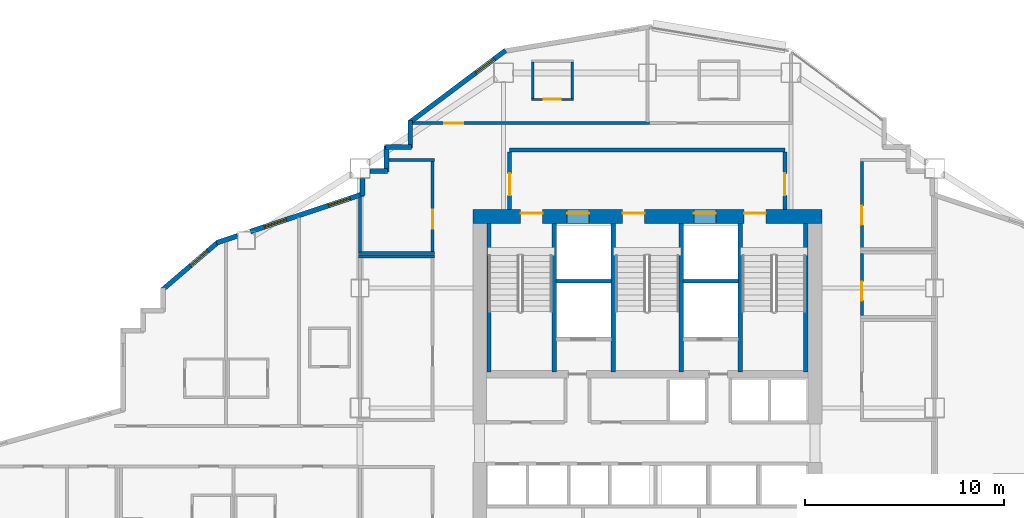
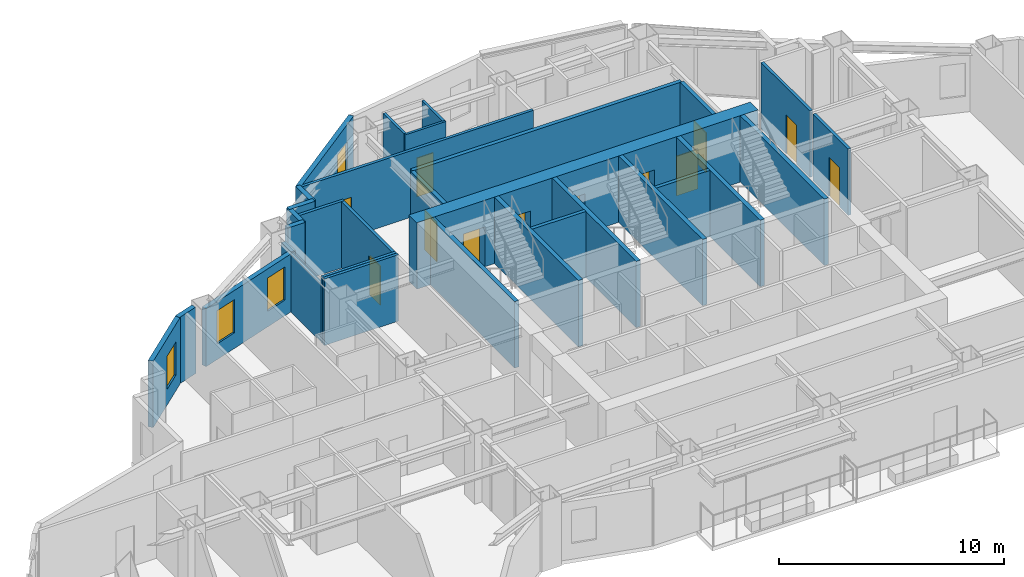
# One storey, part 11 of 14: 32 walls, 12 doors, 4 windows, 16 openings.
"""IFC4 building model written with IfcOpenShell, lengths in metres."""

from ifc_helpers import new_model, si_unit, direction, frame, frame_2d, origin, place, context, subcontext, project, spatial, rectangle, extrude, material, layer, layer_set, type_object, element, fill, save


model = new_model("IFC4")

# Units and contexts
model_context = context("Model", 3, precision=1e-05, world=origin(), true_north=direction((0.0, 1.0)))
body_context = subcontext(model_context, "Body", "Model", "MODEL_VIEW")
ifc_project = project(units=[si_unit("LENGTHUNIT", "METRE"), si_unit("AREAUNIT", "SQUARE_METRE"), si_unit("VOLUMEUNIT", "CUBIC_METRE"), si_unit("PLANEANGLEUNIT", "RADIAN"), si_unit("MASSUNIT", "GRAM", prefix="KILO")], contexts=[model_context])

# Site, building, storey
site_placement = place(None, origin())
site = spatial("IfcSite", under=ifc_project, at=site_placement, CompositionType="ELEMENT")
building_placement = place(site_placement, origin())
building = spatial("IfcBuilding", under=site, at=building_placement, Name="Haolan Belvedere Tower", CompositionType="ELEMENT")
storey_placement = place(building_placement, frame((0.0, 0.0, 144.800048828125)))
storey = spatial("IfcBuildingStorey", under=building, at=storey_placement, Name="L36", CompositionType="ELEMENT", Elevation=144.800048828125)

# Wall, openings, doors
ifc_material_1 = material(Name="Concrete C60/75", Category="concrete")
ifc_layer_1 = layer(ifc_material_1, 0.699951171875, Name="Concrete C60/75")
ifc_layer_set_1 = layer_set([ifc_layer_1], Name="Concrete C60/75")
wall_type_1 = type_object("IfcWallType", Name="WL-CORE-700", PredefinedType="SHEAR", material=ifc_layer_set_1)
wall_1_placement = place(storey_placement, frame((29.64990234375, 43.199951171875, 0.0), z_axis=(0.0, 0.0, 1.0), x_axis=(1.0, 0.0, 0.0)))
wall_1 = element("IfcWall", 1, at=wall_1_placement, inside=storey, type_object=wall_type_1, Name="L36 central core north shear wall", PredefinedType="SHEAR", context=body_context, shape_type="SweptSolid", body=[
    extrude(rectangle(XDim=17.5, YDim=0.699951171875, at=frame_2d((8.75, 0.0))), origin(), (0.0, 0.0, 1.0), 3.599853515625),
])
opening_1_placement = place(wall_1_placement, frame((2.39990234375, 0.0, 0.0)))
opening_1 = element("IfcOpeningElement", 2, at=opening_1_placement, cuts=wall_1, Name="Opening FD-03", PredefinedType="OPENING", context=body_context, shape_type="SweptSolid", body=[
    extrude(rectangle(XDim=1.10009765625, YDim=2.14990234375, at=frame_2d((0.550048828125, 1.074951171875))), frame((0.0, 0.35986328125, 0.0), z_axis=(0.0, -1.0, 0.0), x_axis=(1.0, 0.0, 0.0)), (0.0, 0.0, 1.0), 0.719970703125),
])
opening_2_placement = place(wall_1_placement, frame((7.510009765625, 0.0, 0.0)))
opening_2 = element("IfcOpeningElement", 3, at=opening_2_placement, cuts=wall_1, Name="Opening FD-03", PredefinedType="OPENING", context=body_context, shape_type="SweptSolid", body=[
    extrude(rectangle(XDim=1.10009765625, YDim=2.14990234375, at=frame_2d((0.550048828125, 1.074951171875))), frame((0.0, 0.35986328125, 0.0), z_axis=(0.0, -1.0, 0.0), x_axis=(1.0, 0.0, 0.0)), (0.0, 0.0, 1.0), 0.719970703125),
])
opening_3_placement = place(wall_1_placement, frame((13.60009765625, 0.0, 0.0)))
opening_3 = element("IfcOpeningElement", 4, at=opening_3_placement, cuts=wall_1, Name="Opening FD-03", PredefinedType="OPENING", context=body_context, shape_type="SweptSolid", body=[
    extrude(rectangle(XDim=1.10009765625, YDim=2.14990234375, at=frame_2d((0.550048828125, 1.074951171875))), frame((0.0, 0.35986328125, 0.0), z_axis=(0.0, -1.0, 0.0), x_axis=(1.0, 0.0, 0.0)), (0.0, 0.0, 1.0), 0.719970703125),
])
opening_4_placement = place(wall_1_placement, frame((4.72998046875, 0.0, 0.0)))
opening_4 = element("IfcOpeningElement", 5, at=opening_4_placement, cuts=wall_1, Name="Opening LD-01", PredefinedType="OPENING", context=body_context, shape_type="SweptSolid", body=[
    extrude(rectangle(XDim=1.10009765625, YDim=2.199951171875, at=frame_2d((0.550048828125, 1.10009765625))), frame((0.0, 0.35986328125, 0.0), z_axis=(0.0, -1.0, 0.0), x_axis=(1.0, 0.0, 0.0)), (0.0, 0.0, 1.0), 0.719970703125),
])
opening_5_placement = place(wall_1_placement, frame((11.090087890625, 0.0, 0.0)))
opening_5 = element("IfcOpeningElement", 6, at=opening_5_placement, cuts=wall_1, Name="Opening LD-01", PredefinedType="OPENING", context=body_context, shape_type="SweptSolid", body=[
    extrude(rectangle(XDim=1.10009765625, YDim=2.199951171875, at=frame_2d((0.550048828125, 1.10009765625))), frame((0.0, 0.35986328125, 0.0), z_axis=(0.0, -1.0, 0.0), x_axis=(1.0, 0.0, 0.0)), (0.0, 0.0, 1.0), 0.719970703125),
])
ifc_material_2 = material(Name="Galvanised fire-rated steel", Category="steel")
door_type_1 = type_object("IfcDoorType", Name="DR-FD90-1100", OperationType="NOTDEFINED", PredefinedType="DOOR", material=ifc_material_2)
door_1_placement = place(opening_1_placement, origin())
door_1 = element("IfcDoor", 7, at=door_1_placement, inside=storey, type_object=door_type_1, Name="L36 door CD-L36-ST1", OperationType="SINGLE_SWING_LEFT", OverallHeight=2.14990234375, OverallWidth=1.10009765625, PredefinedType="DOOR", context=body_context, shape_type="SweptSolid", body=[
    extrude(rectangle(XDim=1.10009765625, YDim=2.14990234375, at=frame_2d((0.550048828125, 1.074951171875))), frame((0.0, 0.18505859375, 0.0), z_axis=(0.0, -1.0, 0.0), x_axis=(1.0, 0.0, 0.0)), (0.0, 0.0, 1.0), 0.050048828125),
])
fill(opening_1, door_1)
door_2_placement = place(opening_2_placement, origin())
door_2 = element("IfcDoor", 8, at=door_2_placement, inside=storey, type_object=door_type_1, Name="L36 door CD-L36-ST3", OperationType="SINGLE_SWING_LEFT", OverallHeight=2.14990234375, OverallWidth=1.10009765625, PredefinedType="DOOR", context=body_context, shape_type="SweptSolid", body=[
    extrude(rectangle(XDim=1.10009765625, YDim=2.14990234375, at=frame_2d((0.550048828125, 1.074951171875))), frame((0.0, 0.18505859375, 0.0), z_axis=(0.0, -1.0, 0.0), x_axis=(1.0, 0.0, 0.0)), (0.0, 0.0, 1.0), 0.050048828125),
])
fill(opening_2, door_2)
door_3_placement = place(opening_3_placement, origin())
door_3 = element("IfcDoor", 9, at=door_3_placement, inside=storey, type_object=door_type_1, Name="L36 door CD-L36-ST2", OperationType="SINGLE_SWING_RIGHT", OverallHeight=2.14990234375, OverallWidth=1.10009765625, PredefinedType="DOOR", context=body_context, shape_type="SweptSolid", body=[
    extrude(rectangle(XDim=1.10009765625, YDim=2.14990234375, at=frame_2d((0.550048828125, 1.074951171875))), frame((0.0, 0.18505859375, 0.0), z_axis=(0.0, -1.0, 0.0), x_axis=(1.0, 0.0, 0.0)), (0.0, 0.0, 1.0), 0.050048828125),
])
fill(opening_3, door_3)
ifc_material_3 = material(Name="Brushed champagne stainless steel 316L", Category="steel")
door_type_2 = type_object("IfcDoorType", Name="DR-LIFT-1100", OperationType="SLIDING_TO_LEFT", PredefinedType="DOOR", material=ifc_material_3)
door_4_placement = place(opening_4_placement, origin())
door_4 = element("IfcDoor", 10, at=door_4_placement, inside=storey, type_object=door_type_2, Name="L36 door LD-L36-FF1", OperationType="SLIDING_TO_LEFT", OverallHeight=2.199951171875, OverallWidth=1.10009765625, PredefinedType="DOOR", context=body_context, shape_type="SweptSolid", body=[
    extrude(rectangle(XDim=1.10009765625, YDim=2.199951171875, at=frame_2d((0.550048828125, 1.10009765625))), frame((0.0, 0.18505859375, 0.0), z_axis=(0.0, -1.0, 0.0), x_axis=(1.0, 0.0, 0.0)), (0.0, 0.0, 1.0), 0.050048828125),
])
fill(opening_4, door_4)
door_5_placement = place(opening_5_placement, origin())
door_5 = element("IfcDoor", 11, at=door_5_placement, inside=storey, type_object=door_type_2, Name="L36 door LD-L36-FF2", OperationType="SLIDING_TO_LEFT", OverallHeight=2.199951171875, OverallWidth=1.10009765625, PredefinedType="DOOR", context=body_context, shape_type="SweptSolid", body=[
    extrude(rectangle(XDim=1.10009765625, YDim=2.199951171875, at=frame_2d((0.550048828125, 1.10009765625))), frame((0.0, 0.18505859375, 0.0), z_axis=(0.0, -1.0, 0.0), x_axis=(1.0, 0.0, 0.0)), (0.0, 0.0, 1.0), 0.050048828125),
])
fill(opening_5, door_5)

# Wall, opening, window
ifc_material_4 = material(Name="Precast concrete C40/50", Category="concrete")
ifc_layer_2 = layer(ifc_material_4, 0.239990234375, Name="Precast concrete C40/50")
ifc_layer_set_2 = layer_set([ifc_layer_2], Name="Precast concrete C40/50")
wall_type_2 = type_object("IfcWallType", Name="WL-EXT-240", PredefinedType="SOLIDWALL", material=ifc_layer_set_2)
wall_2_placement = place(storey_placement, frame((31.29248046875, 51.519287109375, 0.0), z_axis=(0.0, 0.0, 1.0), x_axis=(-0.8, -0.6, 0.0)))
wall_2 = element("IfcWall", 12, at=wall_2_placement, inside=storey, type_object=wall_type_2, Name="L36 pale-metal exterior spandrel wall 29.1", PredefinedType="SOLIDWALL", context=body_context, shape_type="SweptSolid", body=[
    extrude(rectangle(XDim=6.0205078125, YDim=0.239990234375, at=frame_2d((3.01025390625, 0.0))), origin(), (0.0, 0.0, 1.0), 3.599853515625),
])
opening_6_placement = place(wall_2_placement, frame((0.699951171875, 0.0, 0.85009765625)))
opening_6 = element("IfcOpeningElement", 13, at=opening_6_placement, cuts=wall_2, Name="Opening W-02", PredefinedType="OPENING", context=body_context, shape_type="SweptSolid", body=[
    extrude(rectangle(XDim=1.14990234375, YDim=1.800048828125, at=frame_2d((0.574951171875, 0.89990234375))), frame((0.0, 0.1298828125, 0.0), z_axis=(0.0, -1.0, 0.0), x_axis=(1.0, 0.0, 0.0)), (0.0, 0.0, 1.0), 0.260009765625),
])
ifc_material_5 = material(Name="Anodised aluminium 6063-T6 and Low-E glass", Category="aluminium")
window_type = type_object("IfcWindowType", Name="WN-DECO-Z2", PartitioningType="SINGLE_PANEL", PredefinedType="WINDOW", material=ifc_material_5)
window_1_placement = place(opening_6_placement, origin())
window_1 = element("IfcWindow", 14, at=window_1_placement, inside=storey, type_object=window_type, Name="L36 Art Deco chevron window 1", OverallHeight=1.800048828125, OverallWidth=1.14990234375, PartitioningType="SINGLE_PANEL", PredefinedType="WINDOW", context=body_context, shape_type="SweptSolid", body=[
    extrude(rectangle(XDim=1.14990234375, YDim=1.800048828125, at=frame_2d((0.574951171875, 0.89990234375))), frame((0.0, 0.030029296875, 0.0), z_axis=(0.0, -1.0, 0.0), x_axis=(1.0, 0.0, 0.0)), (0.0, 0.0, 1.0), 0.06005859375),
])
fill(opening_6, window_1)

# Walls
wall_3_placement = place(storey_placement, frame((26.52001953125, 47.9951171875, 0.0), z_axis=(0.0, 0.0, 1.0), x_axis=(0.0, -1.0, 0.0)))
element("IfcWall", 15, at=wall_3_placement, inside=storey, type_object=wall_type_2, Name="L36 pale-metal exterior spandrel wall 30.1", PredefinedType="SOLIDWALL", context=body_context, shape_type="SweptSolid", body=[
    extrude(rectangle(XDim=1.3701171875, YDim=0.239990234375, at=frame_2d((0.68505859375, 0.0))), origin(), (0.0, 0.0, 1.0), 3.599853515625),
])
for number, where, z_axis, x_axis, name in (
    (16, (26.574951171875, 46.679931640625, 0.0), (0.0, 0.0, 1.0), (-1.0, 0.0, 0.0), "L36 pale-metal exterior spandrel wall 31.1"),
    (17, (25.320068359375, 46.735107421875, 0.0), (0.0, 0.0, 1.0), (0.0, -1.0, 0.0), "L36 pale-metal exterior spandrel wall 32.1"),
):
    element("IfcWall", number, at=place(storey_placement, frame(where, z_axis=z_axis, x_axis=x_axis)), inside=storey, type_object=wall_type_2, Name=name, PredefinedType="SOLIDWALL", context=body_context, shape_type="SweptSolid", body=[
        extrude(rectangle(XDim=1.31005859375, YDim=0.239990234375, at=frame_2d((0.655029296875, 0.0))), origin(), (0.0, 0.0, 1.0), 3.599853515625),
    ])
wall_4_placement = place(storey_placement, frame((25.375, 45.47998046875, 0.0), z_axis=(0.0, 0.0, 1.0), x_axis=(-1.0, 0.0, 0.0)))
element("IfcWall", 18, at=wall_4_placement, inside=storey, type_object=wall_type_2, Name="L36 pale-metal exterior spandrel wall 33.1", PredefinedType="SOLIDWALL", context=body_context, shape_type="SweptSolid", body=[
    extrude(rectangle(XDim=0.883056640625, YDim=0.239990234375, at=frame_2d((0.44140625, 0.0))), origin(), (0.0, 0.0, 1.0), 3.599853515625),
])
wall_5_placement = place(storey_placement, frame((24.1201171875, 45.10791015625, 0.0), z_axis=(0.0, 0.0, 1.0), x_axis=(0.0, -1.0, 0.0)))
element("IfcWall", 19, at=wall_5_placement, inside=storey, type_object=wall_type_2, Name="L36 pale-metal exterior spandrel wall 34.1", PredefinedType="SOLIDWALL", context=body_context, shape_type="SweptSolid", body=[
    extrude(rectangle(XDim=0.849365234375, YDim=0.239990234375, at=frame_2d((0.4248046875, 0.0))), origin(), (0.0, 0.0, 1.0), 3.14501953125),
])

# Wall, openings, windows
wall_6_placement = place(storey_placement, frame((24.172119140625, 44.330810546875, 0.0), z_axis=(0.0, 0.0, 1.0), x_axis=(-0.948683298051, -0.316227766017, 0.0)))
wall_6 = element("IfcWall", 20, at=wall_6_placement, inside=storey, type_object=wall_type_2, Name="L36 pale-metal exterior spandrel wall 35.1", PredefinedType="SOLIDWALL", context=body_context, shape_type="SweptSolid", body=[
    extrude(rectangle(XDim=5.973388671875, YDim=0.239990234375, at=frame_2d((2.98681640625, 0.0))), origin(), (0.0, 0.0, 1.0), 3.14501953125),
])
opening_7_placement = place(wall_6_placement, frame((0.699951171875, 0.0, 0.85009765625)))
opening_7 = element("IfcOpeningElement", 21, at=opening_7_placement, cuts=wall_6, Name="Opening W-02", PredefinedType="OPENING", context=body_context, shape_type="SweptSolid", body=[
    extrude(rectangle(XDim=1.14990234375, YDim=1.800048828125, at=frame_2d((0.574951171875, 0.89990234375))), frame((0.0, 0.1298828125, 0.0), z_axis=(0.0, -1.0, 0.0), x_axis=(1.0, 0.0, 0.0)), (0.0, 0.0, 1.0), 0.260009765625),
])
opening_8_placement = place(wall_6_placement, frame((4.078125, 0.0, 0.85009765625)))
opening_8 = element("IfcOpeningElement", 22, at=opening_8_placement, cuts=wall_6, Name="Opening W-02", PredefinedType="OPENING", context=body_context, shape_type="SweptSolid", body=[
    extrude(rectangle(XDim=1.14990234375, YDim=1.800048828125, at=frame_2d((0.574951171875, 0.89990234375))), frame((0.0, 0.1298828125, 0.0), z_axis=(0.0, -1.0, 0.0), x_axis=(1.0, 0.0, 0.0)), (0.0, 0.0, 1.0), 0.260009765625),
])
window_2_placement = place(opening_7_placement, origin())
window_2 = element("IfcWindow", 23, at=window_2_placement, inside=storey, type_object=window_type, Name="L36 Art Deco chevron window 1", OverallHeight=1.800048828125, OverallWidth=1.14990234375, PartitioningType="SINGLE_PANEL", PredefinedType="WINDOW", context=body_context, shape_type="SweptSolid", body=[
    extrude(rectangle(XDim=1.14990234375, YDim=1.800048828125, at=frame_2d((0.574951171875, 0.89990234375))), frame((0.0, 0.030029296875, 0.0), z_axis=(0.0, -1.0, 0.0), x_axis=(1.0, 0.0, 0.0)), (0.0, 0.0, 1.0), 0.06005859375),
])
fill(opening_7, window_2)
window_3_placement = place(opening_8_placement, origin())
window_3 = element("IfcWindow", 24, at=window_3_placement, inside=storey, type_object=window_type, Name="L36 Art Deco guestroom window 1", OverallHeight=1.800048828125, OverallWidth=1.14990234375, PartitioningType="SINGLE_PANEL", PredefinedType="WINDOW", context=body_context, shape_type="SweptSolid", body=[
    extrude(rectangle(XDim=1.14990234375, YDim=1.800048828125, at=frame_2d((0.574951171875, 0.89990234375))), frame((0.0, 0.030029296875, 0.0), z_axis=(0.0, -1.0, 0.0), x_axis=(1.0, 0.0, 0.0)), (0.0, 0.0, 1.0), 0.06005859375),
])
fill(opening_8, window_3)

# Wall
wall_7_placement = place(storey_placement, frame((17.85791015625, 42.226318359375, 0.0), z_axis=(0.0, 0.0, 1.0), x_axis=(-0.948639166064, -0.316360131194, 0.0)))
element("IfcWall", 25, at=wall_7_placement, inside=storey, type_object=wall_type_2, Name="L36 pale-metal exterior spandrel wall 35.2", PredefinedType="SOLIDWALL", context=body_context, shape_type="SweptSolid", body=[
    extrude(rectangle(XDim=1.106689453125, YDim=0.239990234375, at=frame_2d((0.55322265625, 0.0))), origin(), (0.0, 0.0, 1.0), 3.599853515625),
])

# Wall, opening, window
wall_8_placement = place(storey_placement, frame((16.902099609375, 41.929443359375, 0.0), z_axis=(0.0, 0.0, 1.0), x_axis=(-0.759275136126, -0.650769750112, 0.0)))
wall_8 = element("IfcWall", 26, at=wall_8_placement, inside=storey, type_object=wall_type_2, Name="L36 pale-metal exterior spandrel wall 36.1", PredefinedType="SOLIDWALL", context=body_context, shape_type="SweptSolid", body=[
    extrude(rectangle(XDim=3.71923828125, YDim=0.239990234375, at=frame_2d((1.859619140625, 0.0))), origin(), (0.0, 0.0, 1.0), 3.599853515625),
])
opening_9_placement = place(wall_8_placement, frame((0.699951171875, 0.0, 0.85009765625)))
opening_9 = element("IfcOpeningElement", 27, at=opening_9_placement, cuts=wall_8, Name="Opening W-02", PredefinedType="OPENING", context=body_context, shape_type="SweptSolid", body=[
    extrude(rectangle(XDim=1.14990234375, YDim=1.800048828125, at=frame_2d((0.574951171875, 0.89990234375))), frame((0.0, 0.1298828125, 0.0), z_axis=(0.0, -1.0, 0.0), x_axis=(1.0, 0.0, 0.0)), (0.0, 0.0, 1.0), 0.260009765625),
])
window_4_placement = place(opening_9_placement, origin())
window_4 = element("IfcWindow", 28, at=window_4_placement, inside=storey, type_object=window_type, Name="L36 Art Deco chevron window 1", OverallHeight=1.800048828125, OverallWidth=1.14990234375, PartitioningType="SINGLE_PANEL", PredefinedType="WINDOW", context=body_context, shape_type="SweptSolid", body=[
    extrude(rectangle(XDim=1.14990234375, YDim=1.800048828125, at=frame_2d((0.574951171875, 0.89990234375))), frame((0.0, 0.030029296875, 0.0), z_axis=(0.0, -1.0, 0.0), x_axis=(1.0, 0.0, 0.0)), (0.0, 0.0, 1.0), 0.06005859375),
])
fill(opening_9, window_4)

# Wall
ifc_material_6 = material(Name="Concrete C40/50", Category="concrete")
ifc_layer_3 = layer(ifc_material_6, 0.199951171875, Name="Concrete C40/50")
ifc_layer_set_3 = layer_set([ifc_layer_3], Name="Concrete C40/50")
wall_type_3 = type_object("IfcWallType", Name="WL-FIRE-200", PredefinedType="SOLIDWALL", material=ifc_layer_set_3)
wall_9_placement = place(storey_placement, frame((31.5, 46.52001953125, 0.0), z_axis=(0.0, 0.0, 1.0), x_axis=(1.0, 0.0, 0.0)))
element("IfcWall", 29, at=wall_9_placement, inside=storey, type_object=wall_type_3, Name="L36 interior partition IW-L36-FFL-N", PredefinedType="SOLIDWALL", context=body_context, shape_type="SweptSolid", body=[
    extrude(rectangle(XDim=13.800048828125, YDim=0.199951171875, at=frame_2d((6.89990234375, 0.0))), origin(), (0.0, 0.0, 1.0), 3.599853515625),
])

# Wall, opening, door
wall_10_placement = place(storey_placement, frame((31.5, 43.550048828125, 0.0), z_axis=(0.0, 0.0, 1.0), x_axis=(0.0, 1.0, 0.0)))
wall_10 = element("IfcWall", 30, at=wall_10_placement, inside=storey, type_object=wall_type_3, Name="L36 interior partition IW-L36-FFL-W", PredefinedType="SOLIDWALL", context=body_context, shape_type="SweptSolid", body=[
    extrude(rectangle(XDim=2.885009765625, YDim=0.199951171875, at=frame_2d((1.4423828125, 0.0))), origin(), (0.0, 0.0, 1.0), 3.599853515625),
])
opening_10_placement = place(wall_10_placement, frame((1.800048828125, 0.0, 0.0), z_axis=(0.0, 0.0, 1.0), x_axis=(-1.0, 0.0, 0.0)))
opening_10 = element("IfcOpeningElement", 31, at=opening_10_placement, cuts=wall_10, Name="Opening FD-03", PredefinedType="OPENING", context=body_context, shape_type="SweptSolid", body=[
    extrude(rectangle(XDim=1.10009765625, YDim=2.14990234375, at=frame_2d((0.550048828125, 1.074951171875))), frame((0.0, 0.10986328125, 0.0), z_axis=(0.0, -1.0, 0.0), x_axis=(1.0, 0.0, 0.0)), (0.0, 0.0, 1.0), 0.219970703125),
])
door_6_placement = place(opening_10_placement, origin())
door_6 = element("IfcDoor", 32, at=door_6_placement, inside=storey, type_object=door_type_1, Name="L36 door ID-L36-FFL-DW", OperationType="SINGLE_SWING_LEFT", OverallHeight=2.14990234375, OverallWidth=1.10009765625, PredefinedType="DOOR", context=body_context, shape_type="SweptSolid", body=[
    extrude(rectangle(XDim=1.10009765625, YDim=2.14990234375, at=frame_2d((0.550048828125, 1.074951171875))), frame((0.0, 0.02490234375, 0.0), z_axis=(0.0, -1.0, 0.0), x_axis=(1.0, 0.0, 0.0)), (0.0, 0.0, 1.0), 0.050048828125),
])
fill(opening_10, door_6)

wall_11_placement = place(storey_placement, frame((45.300048828125, 43.550048828125, 0.0), z_axis=(0.0, 0.0, 1.0), x_axis=(0.0, 1.0, 0.0)))
wall_11 = element("IfcWall", 33, at=wall_11_placement, inside=storey, type_object=wall_type_3, Name="L36 interior partition IW-L36-FFL-E", PredefinedType="SOLIDWALL", context=body_context, shape_type="SweptSolid", body=[
    extrude(rectangle(XDim=2.885009765625, YDim=0.199951171875, at=frame_2d((1.4423828125, 0.0))), origin(), (0.0, 0.0, 1.0), 3.599853515625),
])
opening_11_placement = place(wall_11_placement, frame((0.699951171875, 0.0, 0.0)))
opening_11 = element("IfcOpeningElement", 34, at=opening_11_placement, cuts=wall_11, Name="Opening FD-03", PredefinedType="OPENING", context=body_context, shape_type="SweptSolid", body=[
    extrude(rectangle(XDim=1.10009765625, YDim=2.14990234375, at=frame_2d((0.550048828125, 1.074951171875))), frame((0.0, 0.10986328125, 0.0), z_axis=(0.0, -1.0, 0.0), x_axis=(1.0, 0.0, 0.0)), (0.0, 0.0, 1.0), 0.219970703125),
])
door_7_placement = place(opening_11_placement, origin())
door_7 = element("IfcDoor", 35, at=door_7_placement, inside=storey, type_object=door_type_1, Name="L36 door ID-L36-FFL-DE", OperationType="SINGLE_SWING_RIGHT", OverallHeight=2.14990234375, OverallWidth=1.10009765625, PredefinedType="DOOR", context=body_context, shape_type="SweptSolid", body=[
    extrude(rectangle(XDim=1.10009765625, YDim=2.14990234375, at=frame_2d((0.550048828125, 1.074951171875))), frame((0.0, 0.02490234375, 0.0), z_axis=(0.0, -1.0, 0.0), x_axis=(1.0, 0.0, 0.0)), (0.0, 0.0, 1.0), 0.050048828125),
])
fill(opening_11, door_7)

# Walls
ifc_material_7 = material(Name="Double gypsum acoustic stud partition", Category="masonry")
ifc_layer_4 = layer(ifc_material_7, 0.14990234375, Name="Double gypsum acoustic stud partition")
ifc_layer_set_4 = layer_set([ifc_layer_4], Name="Double gypsum acoustic stud partition")
wall_type_4 = type_object("IfcWallType", Name="WL-PART-150", PredefinedType="PARTITIONING", material=ifc_layer_set_4)
wall_12_placement = place(storey_placement, frame((23.919921875, 41.199951171875, 0.0), z_axis=(0.0, 0.0, 1.0), x_axis=(1.0, 0.0, 0.0)))
element("IfcWall", 36, at=wall_12_placement, inside=storey, type_object=wall_type_4, Name="L36 interior partition IW-L36-SAL-N", PredefinedType="PARTITIONING", context=body_context, shape_type="SweptSolid", body=[
    extrude(rectangle(XDim=3.800048828125, YDim=0.14990234375, at=frame_2d((1.89990234375, 0.0))), origin(), (0.0, 0.0, 1.0), 3.599853515625),
])
wall_13_placement = place(storey_placement, frame((25.425048828125, 46.02001953125, 0.0), z_axis=(0.0, 0.0, 1.0), x_axis=(1.0, 0.0, 0.0)))
element("IfcWall", 37, at=wall_13_placement, inside=storey, type_object=wall_type_4, Name="L36 interior partition IW-L36-HSK-N", PredefinedType="PARTITIONING", context=body_context, shape_type="SweptSolid", body=[
    extrude(rectangle(XDim=2.294921875, YDim=0.14990234375, at=frame_2d((1.1474609375, 0.0))), origin(), (0.0, 0.0, 1.0), 3.599853515625),
])
wall_14_placement = place(storey_placement, frame((23.919921875, 41.360107421875, 0.0), z_axis=(0.0, 0.0, 1.0), x_axis=(1.0, 0.0, 0.0)))
element("IfcWall", 38, at=wall_14_placement, inside=storey, type_object=wall_type_4, Name="L36 interior partition IW-L36-HSK-S", PredefinedType="PARTITIONING", context=body_context, shape_type="SweptSolid", body=[
    extrude(rectangle(XDim=3.800048828125, YDim=0.14990234375, at=frame_2d((1.89990234375, 0.0))), origin(), (0.0, 0.0, 1.0), 3.599853515625),
])
wall_15_placement = place(storey_placement, frame((24.0, 41.419921875, 0.0), z_axis=(0.0, 0.0, 1.0), x_axis=(0.0, 1.0, 0.0)))
element("IfcWall", 39, at=wall_15_placement, inside=storey, type_object=wall_type_4, Name="L36 interior partition IW-L36-HSK-W", PredefinedType="PARTITIONING", context=body_context, shape_type="SweptSolid", body=[
    extrude(rectangle(XDim=2.742919921875, YDim=0.14990234375, at=frame_2d((1.37158203125, 0.0))), origin(), (0.0, 0.0, 1.0), 3.14501953125),
])

# Wall, opening, door
wall_16_placement = place(storey_placement, frame((27.639892578125, 41.419921875, 0.0), z_axis=(0.0, 0.0, 1.0), x_axis=(0.0, 1.0, 0.0)))
wall_16 = element("IfcWall", 40, at=wall_16_placement, inside=storey, type_object=wall_type_4, Name="L36 interior partition IW-L36-HSK-E", PredefinedType="PARTITIONING", context=body_context, shape_type="SweptSolid", body=[
    extrude(rectangle(XDim=4.5400390625, YDim=0.14990234375, at=frame_2d((2.27001953125, 0.0))), origin(), (0.0, 0.0, 1.0), 3.599853515625),
])
opening_12_placement = place(wall_16_placement, frame((2.10986328125, 0.0, 0.0), z_axis=(0.0, 0.0, 1.0), x_axis=(-1.0, 0.0, 0.0)))
opening_12 = element("IfcOpeningElement", 41, at=opening_12_placement, cuts=wall_16, Name="Opening ID-03", PredefinedType="OPENING", context=body_context, shape_type="SweptSolid", body=[
    extrude(rectangle(XDim=0.949951171875, YDim=2.1201171875, at=frame_2d((0.47509765625, 1.06005859375))), frame((0.0, 0.0849609375, 0.0), z_axis=(0.0, -1.0, 0.0), x_axis=(1.0, 0.0, 0.0)), (0.0, 0.0, 1.0), 0.169921875),
])
ifc_material_8 = material(Name="Painted solid-core timber", Category="wood")
door_type_3 = type_object("IfcDoorType", Name="DR-INT-950", OperationType="NOTDEFINED", PredefinedType="DOOR", material=ifc_material_8)
door_8_placement = place(opening_12_placement, origin())
door_8 = element("IfcDoor", 42, at=door_8_placement, inside=storey, type_object=door_type_3, Name="L36 door ID-L36-HSK", OperationType="SINGLE_SWING_RIGHT", OverallHeight=2.1201171875, OverallWidth=0.949951171875, PredefinedType="DOOR", context=body_context, shape_type="SweptSolid", body=[
    extrude(rectangle(XDim=0.949951171875, YDim=2.1201171875, at=frame_2d((0.47509765625, 1.06005859375))), frame((0.0, 0.02490234375, 0.0), z_axis=(0.0, -1.0, 0.0), x_axis=(1.0, 0.0, 0.0)), (0.0, 0.0, 1.0), 0.050048828125),
])
fill(opening_12, door_8)

wall_17_placement = place(storey_placement, frame((49.159912109375, 38.219970703125, 0.0), z_axis=(0.0, 0.0, 1.0), x_axis=(0.0, 1.0, 0.0)))
wall_17 = element("IfcWall", 43, at=wall_17_placement, inside=storey, type_object=wall_type_4, Name="L36 interior partition IW-L36-AWC-W", PredefinedType="PARTITIONING", context=body_context, shape_type="SweptSolid", body=[
    extrude(rectangle(XDim=3.1201171875, YDim=0.14990234375, at=frame_2d((1.56005859375, 0.0))), origin(), (0.0, 0.0, 1.0), 3.599853515625),
])
opening_13_placement = place(wall_17_placement, frame((0.760009765625, 0.0, 0.0)))
opening_13 = element("IfcOpeningElement", 44, at=opening_13_placement, cuts=wall_17, Name="Opening ID-03", PredefinedType="OPENING", context=body_context, shape_type="SweptSolid", body=[
    extrude(rectangle(XDim=0.949951171875, YDim=2.1201171875, at=frame_2d((0.47509765625, 1.06005859375))), frame((0.0, 0.0849609375, 0.0), z_axis=(0.0, -1.0, 0.0), x_axis=(1.0, 0.0, 0.0)), (0.0, 0.0, 1.0), 0.169921875),
])
door_9_placement = place(opening_13_placement, origin())
door_9 = element("IfcDoor", 45, at=door_9_placement, inside=storey, type_object=door_type_3, Name="L36 door ID-L36-AWC", OperationType="SINGLE_SWING_LEFT", OverallHeight=2.1201171875, OverallWidth=0.949951171875, PredefinedType="DOOR", context=body_context, shape_type="SweptSolid", body=[
    extrude(rectangle(XDim=0.949951171875, YDim=2.1201171875, at=frame_2d((0.47509765625, 1.06005859375))), frame((0.0, 0.02490234375, 0.0), z_axis=(0.0, -1.0, 0.0), x_axis=(1.0, 0.0, 0.0)), (0.0, 0.0, 1.0), 0.050048828125),
])
fill(opening_13, door_9)

wall_18_placement = place(storey_placement, frame((49.159912109375, 41.6201171875, 0.0), z_axis=(0.0, 0.0, 1.0), x_axis=(0.0, 1.0, 0.0)))
wall_18 = element("IfcWall", 46, at=wall_18_placement, inside=storey, type_object=wall_type_4, Name="L36 interior partition IW-L36-CLN-W", PredefinedType="PARTITIONING", context=body_context, shape_type="SweptSolid", body=[
    extrude(rectangle(XDim=4.33984375, YDim=0.14990234375, at=frame_2d((2.169921875, 0.0))), origin(), (0.0, 0.0, 1.0), 3.599853515625),
])
opening_14_placement = place(wall_18_placement, frame((1.159912109375, 0.0, 0.0)))
opening_14 = element("IfcOpeningElement", 47, at=opening_14_placement, cuts=wall_18, Name="Opening ID-03", PredefinedType="OPENING", context=body_context, shape_type="SweptSolid", body=[
    extrude(rectangle(XDim=0.949951171875, YDim=2.1201171875, at=frame_2d((0.47509765625, 1.06005859375))), frame((0.0, 0.0849609375, 0.0), z_axis=(0.0, -1.0, 0.0), x_axis=(1.0, 0.0, 0.0)), (0.0, 0.0, 1.0), 0.169921875),
])
door_10_placement = place(opening_14_placement, origin())
door_10 = element("IfcDoor", 48, at=door_10_placement, inside=storey, type_object=door_type_3, Name="L36 door ID-L36-CLN", OperationType="SINGLE_SWING_RIGHT", OverallHeight=2.1201171875, OverallWidth=0.949951171875, PredefinedType="DOOR", context=body_context, shape_type="SweptSolid", body=[
    extrude(rectangle(XDim=0.949951171875, YDim=2.1201171875, at=frame_2d((0.47509765625, 1.06005859375))), frame((0.0, 0.02490234375, 0.0), z_axis=(0.0, -1.0, 0.0), x_axis=(1.0, 0.0, 0.0)), (0.0, 0.0, 1.0), 0.050048828125),
])
fill(opening_14, door_10)

wall_19_placement = place(storey_placement, frame((26.625, 47.8798828125, 0.0), z_axis=(0.0, 0.0, 1.0), x_axis=(1.0, 0.0, 0.0)))
wall_19 = element("IfcWall", 49, at=wall_19_placement, inside=storey, type_object=wall_type_4, Name="L36 interior partition IW-L36-KN1-S", PredefinedType="PARTITIONING", context=body_context, shape_type="SweptSolid", body=[
    extrude(rectangle(XDim=11.875, YDim=0.14990234375, at=frame_2d((5.9375, 0.0))), origin(), (0.0, 0.0, 1.0), 3.599853515625),
])
opening_15_placement = place(wall_19_placement, frame((1.597900390625, 0.0, 0.0)))
opening_15 = element("IfcOpeningElement", 50, at=opening_15_placement, cuts=wall_19, Name="Opening ID-02", PredefinedType="OPENING", context=body_context, shape_type="SweptSolid", body=[
    extrude(rectangle(XDim=0.949951171875, YDim=2.14990234375, at=frame_2d((0.47509765625, 1.074951171875))), frame((0.0, 0.0849609375, 0.0), z_axis=(0.0, -1.0, 0.0), x_axis=(1.0, 0.0, 0.0)), (0.0, 0.0, 1.0), 0.169921875),
])
ifc_material_9 = material(Name="Acoustic oak veneer fire-rated timber", Category="wood")
door_type_4 = type_object("IfcDoorType", Name="DR-GUEST-950", OperationType="NOTDEFINED", PredefinedType="DOOR", material=ifc_material_9)
door_11_placement = place(opening_15_placement, origin())
door_11 = element("IfcDoor", 51, at=door_11_placement, inside=storey, type_object=door_type_4, Name="L36 door ID-L36-KN1-ENT", OperationType="SINGLE_SWING_LEFT", OverallHeight=2.14990234375, OverallWidth=0.949951171875, PredefinedType="DOOR", context=body_context, shape_type="SweptSolid", body=[
    extrude(rectangle(XDim=0.949951171875, YDim=2.14990234375, at=frame_2d((0.47509765625, 1.074951171875))), frame((0.0, 0.02490234375, 0.0), z_axis=(0.0, -1.0, 0.0), x_axis=(1.0, 0.0, 0.0)), (0.0, 0.0, 1.0), 0.050048828125),
])
fill(opening_15, door_11)

# Walls
ifc_layer_5 = layer(ifc_material_4, 0.179931640625, Name="Precast concrete C40/50")
ifc_layer_set_5 = layer_set([ifc_layer_5], Name="Precast concrete C40/50")
wall_type_5 = type_object("IfcWallType", Name="WL-SHAFT-180", PredefinedType="SOLIDWALL", material=ifc_layer_set_5)
for number, where, z_axis, x_axis, name in (
    (52, (33.8349609375, 39.949951171875, 0.0), (0.0, 0.0, 1.0), (1.0, 0.0, 0.0), "L36 interior partition IW-L36-FF1-S"),
    (53, (40.195068359375, 39.949951171875, 0.0), (0.0, 0.0, 1.0), (1.0, 0.0, 0.0), "L36 interior partition IW-L36-FF2-S"),
):
    element("IfcWall", number, at=place(storey_placement, frame(where, z_axis=z_axis, x_axis=x_axis)), inside=storey, type_object=wall_type_5, Name=name, PredefinedType="SOLIDWALL", context=body_context, shape_type="SweptSolid", body=[
        extrude(rectangle(XDim=2.77001953125, YDim=0.179931640625, at=frame_2d((1.385009765625, 0.0))), origin(), (0.0, 0.0, 1.0), 3.599853515625),
    ])
ifc_material_10 = material(Name="Concrete C50/60", Category="concrete")
ifc_layer_6 = layer(ifc_material_10, 0.219970703125, Name="Concrete C50/60")
ifc_layer_set_6 = layer_set([ifc_layer_6], Name="Concrete C50/60")
wall_type_6 = type_object("IfcWallType", Name="WL-STAIR-220", PredefinedType="SHEAR", material=ifc_layer_set_6)
for number, where, z_axis, x_axis, name in (
    (54, (30.4619140625, 35.389892578125, 0.0), (0.0, 0.0, 1.0), (0.0, 1.0, 0.0), "L36 structural stair core wall ST1W"),
    (55, (33.739990234375, 35.389892578125, 0.0), (0.0, 0.0, 1.0), (0.0, 1.0, 0.0), "L36 structural stair core wall ST1E"),
    (56, (36.699951171875, 35.389892578125, 0.0), (0.0, 0.0, 1.0), (0.0, 1.0, 0.0), "L36 structural stair core wall ST3W"),
    (57, (40.10009765625, 35.389892578125, 0.0), (0.0, 0.0, 1.0), (0.0, 1.0, 0.0), "L36 structural stair core wall ST3E"),
    (58, (43.06005859375, 35.389892578125, 0.0), (0.0, 0.0, 1.0), (0.0, 1.0, 0.0), "L36 structural stair core wall ST2W"),
    (59, (46.337890625, 35.389892578125, 0.0), (0.0, 0.0, 1.0), (0.0, 1.0, 0.0), "L36 structural stair core wall ST2E"),
):
    element("IfcWall", number, at=place(storey_placement, frame(where, z_axis=z_axis, x_axis=x_axis)), inside=storey, type_object=wall_type_6, Name=name, PredefinedType="SHEAR", context=body_context, shape_type="SweptSolid", body=[
        extrude(rectangle(XDim=7.460205078125, YDim=0.219970703125, at=frame_2d((3.72998046875, 0.0))), origin(), (0.0, 0.0, 1.0), 3.599853515625),
    ])

# Wall, opening, door
ifc_material_11 = material(Name="Moisture-resistant gypsum tile partition", Category="masonry")
ifc_layer_7 = layer(ifc_material_11, 0.1201171875, Name="Moisture-resistant gypsum tile partition")
ifc_layer_set_7 = layer_set([ifc_layer_7], Name="Moisture-resistant gypsum tile partition")
wall_type_7 = type_object("IfcWallType", Name="WL-WET-120", PredefinedType="PARTITIONING", material=ifc_layer_set_7)
wall_20_placement = place(storey_placement, frame((32.595947265625, 49.06005859375, 0.0), z_axis=(0.0, 0.0, 1.0), x_axis=(1.0, 0.0, 0.0)))
wall_20 = element("IfcWall", 60, at=wall_20_placement, inside=storey, type_object=wall_type_7, Name="L36 interior partition IW-L36-KN1-BS", PredefinedType="PARTITIONING", context=body_context, shape_type="SweptSolid", body=[
    extrude(rectangle(XDim=2.10009765625, YDim=0.1201171875, at=frame_2d((1.050048828125, 0.0))), origin(), (0.0, 0.0, 1.0), 3.599853515625),
])
opening_16_placement = place(wall_20_placement, frame((0.625, 0.0, 0.0)))
opening_16 = element("IfcOpeningElement", 61, at=opening_16_placement, cuts=wall_20, Name="Opening ID-05", PredefinedType="OPENING", context=body_context, shape_type="SweptSolid", body=[
    extrude(rectangle(XDim=0.85009765625, YDim=2.10009765625, at=frame_2d((0.425048828125, 1.050048828125))), frame((0.0, 0.070068359375, 0.0), z_axis=(0.0, -1.0, 0.0), x_axis=(1.0, 0.0, 0.0)), (0.0, 0.0, 1.0), 0.14013671875),
])
ifc_material_12 = material(Name="Moisture-resistant lacquered timber", Category="wood")
door_type_5 = type_object("IfcDoorType", Name="DR-BATH-850", OperationType="NOTDEFINED", PredefinedType="DOOR", material=ifc_material_12)
door_12_placement = place(opening_16_placement, origin())
door_12 = element("IfcDoor", 62, at=door_12_placement, inside=storey, type_object=door_type_5, Name="L36 door ID-L36-KN1-BATH", OperationType="SINGLE_SWING_RIGHT", OverallHeight=2.10009765625, OverallWidth=0.85009765625, PredefinedType="DOOR", context=body_context, shape_type="SweptSolid", body=[
    extrude(rectangle(XDim=0.85009765625, YDim=2.10009765625, at=frame_2d((0.425048828125, 1.050048828125))), frame((0.0, 0.02490234375, 0.0), z_axis=(0.0, -1.0, 0.0), x_axis=(1.0, 0.0, 0.0)), (0.0, 0.0, 1.0), 0.050048828125),
])
fill(opening_16, door_12)

# Walls
for number, where, z_axis, x_axis, name in (
    (63, (32.656005859375, 49.10498046875, 0.0), (0.0, 0.0, 1.0), (0.0, 1.0, 0.0), "L36 interior partition IW-L36-KN1-BW"),
    (64, (34.635986328125, 49.10498046875, 0.0), (0.0, 0.0, 1.0), (0.0, 1.0, 0.0), "L36 interior partition IW-L36-KN1-BE"),
):
    element("IfcWall", number, at=place(storey_placement, frame(where, z_axis=z_axis, x_axis=x_axis)), inside=storey, type_object=wall_type_7, Name=name, PredefinedType="PARTITIONING", context=body_context, shape_type="SweptSolid", body=[
        extrude(rectangle(XDim=1.830078125, YDim=0.1201171875, at=frame_2d((0.9150390625, 0.0))), origin(), (0.0, 0.0, 1.0), 3.599853515625),
    ])

save(model, "model.ifc")
